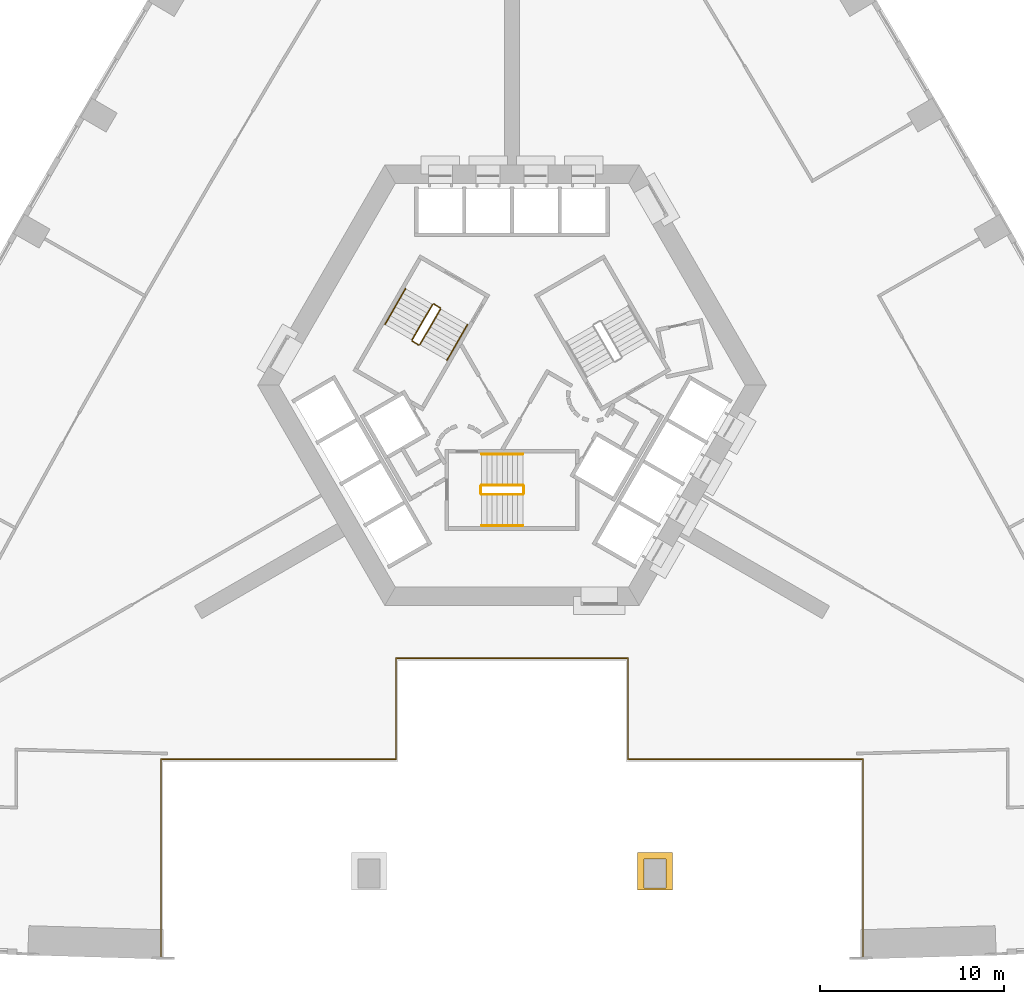
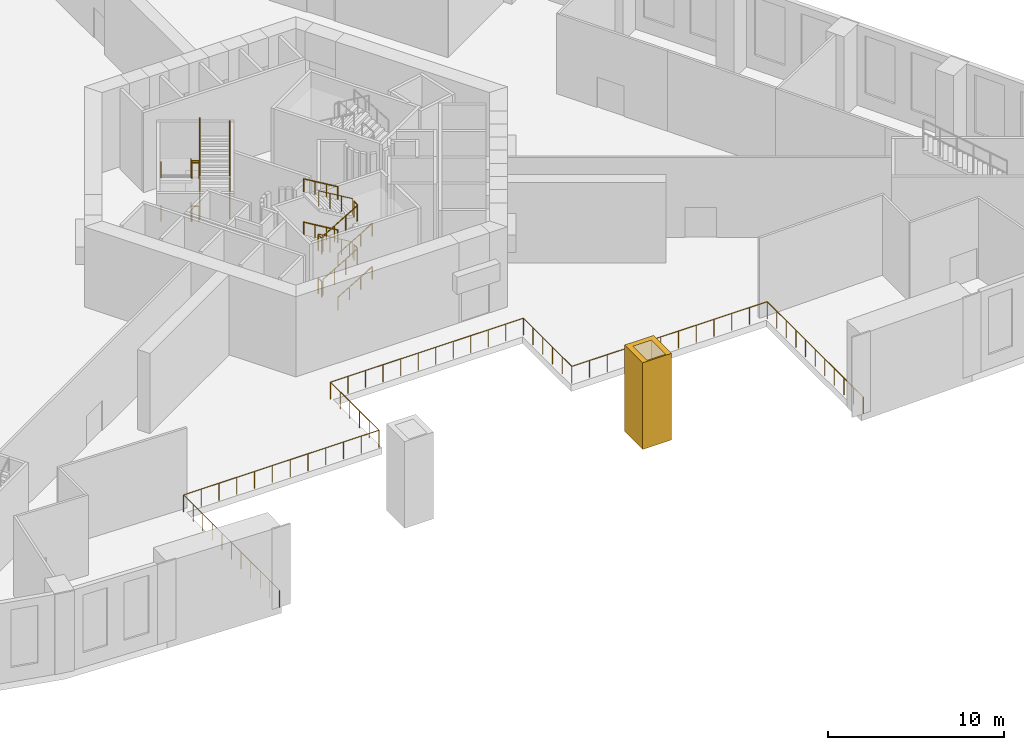
# One storey, part 12 of 15: 24 railings, 1 covering.
"""IFC4 building model written with IfcOpenShell, lengths in metres."""

from ifc_helpers import new_model, si_unit, direction, frame, origin, origin_2d, place, context, subcontext, project, spatial, polyline, circle, outline, extrude, material, type_object, element, save


model = new_model("IFC4")

# Units and contexts
model_context = context("Model", 3, precision=1e-05, world=origin(), true_north=direction((0.0, 1.0)))
body_context = subcontext(model_context, "Body", "Model", "MODEL_VIEW")
ifc_project = project(units=[si_unit("LENGTHUNIT", "METRE"), si_unit("AREAUNIT", "SQUARE_METRE"), si_unit("VOLUMEUNIT", "CUBIC_METRE"), si_unit("PLANEANGLEUNIT", "RADIAN"), si_unit("MASSUNIT", "GRAM", prefix="KILO")], contexts=[model_context])

# Site, building, storey
site_placement = place(None, origin())
site = spatial("IfcSite", under=ifc_project, at=site_placement, CompositionType="ELEMENT")
building_placement = place(site_placement, origin())
building = spatial("IfcBuilding", under=site, at=building_placement, Name="Entoto Arch Interchange Tower", CompositionType="ELEMENT")
storey_placement = place(building_placement, frame((0.0, 0.0, 9.0)))
storey = spatial("IfcBuildingStorey", under=building, at=storey_placement, Name="L01", CompositionType="ELEMENT", Elevation=9.0)

# Railing
ifc_material_1 = material(Name="Stainless steel 1.4301", Category="steel")
railing_type_1 = type_object("IfcRailingType", Name="ATRIUM GUARD 1200 STEEL AND GLASS", PredefinedType="GUARDRAIL", material=ifc_material_1)
railing_1_placement = place(storey_placement, frame((-19.1201171875, -28.758056640625, 0.0)))
element("IfcRailing", 1, at=railing_1_placement, inside=storey, type_object=railing_type_1, Name="Atrium guard L01", PredefinedType="GUARDRAIL", context=body_context, shape_type="SweptSolid", body=[
    extrude(circle(Radius=0.02392578125, at=origin_2d()), frame((0.0, 0.0, 1.17578125), z_axis=(0.0, 1.0, 0.0), x_axis=(-1.0, 0.0, 0.0)), (0.0, 0.0, 1.0), 10.878173828125),
    extrude(circle(Radius=0.02392578125, at=origin_2d()), frame((0.0, 10.878173828125, 1.17578125), z_axis=(1.0, 0.0, 0.0), x_axis=(0.0, 1.0, 0.0)), (0.0, 0.0, 1.0), 12.800048828125),
    extrude(circle(Radius=0.02392578125, at=origin_2d()), frame((12.800048828125, 10.878173828125, 1.17578125), z_axis=(0.0, 1.0, 0.0), x_axis=(-1.0, 0.0, 0.0)), (0.0, 0.0, 1.0), 5.5),
    extrude(circle(Radius=0.02392578125, at=origin_2d()), frame((12.800048828125, 16.378173828125, 1.17578125), z_axis=(1.0, 0.0, 0.0), x_axis=(0.0, 1.0, 0.0)), (0.0, 0.0, 1.0), 12.64013671875),
    extrude(circle(Radius=0.02392578125, at=origin_2d()), frame((25.440185546875, 16.378173828125, 1.17578125), z_axis=(0.0, -1.0, 0.0), x_axis=(1.0, 0.0, 0.0)), (0.0, 0.0, 1.0), 5.5),
    extrude(circle(Radius=0.02392578125, at=origin_2d()), frame((25.440185546875, 10.878173828125, 1.17578125), z_axis=(1.0, 0.0, 0.0), x_axis=(0.0, 1.0, 0.0)), (0.0, 0.0, 1.0), 12.800048828125),
    extrude(circle(Radius=0.02392578125, at=origin_2d()), frame((38.240234375, 10.878173828125, 1.17578125), z_axis=(0.0, -1.0, 0.0), x_axis=(1.0, 0.0, 0.0)), (0.0, 0.0, 1.0), 10.878173828125),
    extrude(circle(Radius=0.02099609375, at=origin_2d()), origin(), (0.0, 0.0, 1.0), 1.15185546875),
    extrude(circle(Radius=0.02099609375, at=origin_2d()), frame((0.0, 1.087890625, 0.0)), (0.0, 0.0, 1.0), 1.15185546875),
    extrude(circle(Radius=0.02099609375, at=origin_2d()), frame((0.0, 2.175537109375, 0.0)), (0.0, 0.0, 1.0), 1.15185546875),
    extrude(circle(Radius=0.02099609375, at=origin_2d()), frame((0.0, 3.263427734375, 0.0)), (0.0, 0.0, 1.0), 1.15185546875),
    extrude(circle(Radius=0.02099609375, at=origin_2d()), frame((0.0, 4.351318359375, 0.0)), (0.0, 0.0, 1.0), 1.15185546875),
    extrude(circle(Radius=0.02099609375, at=origin_2d()), frame((0.0, 5.43896484375, 0.0)), (0.0, 0.0, 1.0), 1.15185546875),
    extrude(circle(Radius=0.02099609375, at=origin_2d()), frame((0.0, 6.52685546875, 0.0)), (0.0, 0.0, 1.0), 1.15185546875),
    extrude(circle(Radius=0.02099609375, at=origin_2d()), frame((0.0, 7.61474609375, 0.0)), (0.0, 0.0, 1.0), 1.15185546875),
    extrude(circle(Radius=0.02099609375, at=origin_2d()), frame((0.0, 8.70263671875, 0.0)), (0.0, 0.0, 1.0), 1.15185546875),
    extrude(circle(Radius=0.02099609375, at=origin_2d()), frame((0.0, 9.790283203125, 0.0)), (0.0, 0.0, 1.0), 1.15185546875),
    extrude(circle(Radius=0.02099609375, at=origin_2d()), frame((0.0, 10.878173828125, 0.0)), (0.0, 0.0, 1.0), 1.15185546875),
    extrude(circle(Radius=0.02099609375, at=origin_2d()), frame((1.16357421875, 10.878173828125, 0.0)), (0.0, 0.0, 1.0), 1.15185546875),
    extrude(circle(Radius=0.02099609375, at=origin_2d()), frame((2.327392578125, 10.878173828125, 0.0)), (0.0, 0.0, 1.0), 1.15185546875),
    extrude(circle(Radius=0.02099609375, at=origin_2d()), frame((3.490966796875, 10.878173828125, 0.0)), (0.0, 0.0, 1.0), 1.15185546875),
    extrude(circle(Radius=0.02099609375, at=origin_2d()), frame((4.654541015625, 10.878173828125, 0.0)), (0.0, 0.0, 1.0), 1.15185546875),
    extrude(circle(Radius=0.02099609375, at=origin_2d()), frame((5.818115234375, 10.878173828125, 0.0)), (0.0, 0.0, 1.0), 1.15185546875),
    extrude(circle(Radius=0.02099609375, at=origin_2d()), frame((6.98193359375, 10.878173828125, 0.0)), (0.0, 0.0, 1.0), 1.15185546875),
    extrude(circle(Radius=0.02099609375, at=origin_2d()), frame((8.1455078125, 10.878173828125, 0.0)), (0.0, 0.0, 1.0), 1.15185546875),
    extrude(circle(Radius=0.02099609375, at=origin_2d()), frame((9.30908203125, 10.878173828125, 0.0)), (0.0, 0.0, 1.0), 1.15185546875),
    extrude(circle(Radius=0.02099609375, at=origin_2d()), frame((10.47265625, 10.878173828125, 0.0)), (0.0, 0.0, 1.0), 1.15185546875),
    extrude(circle(Radius=0.02099609375, at=origin_2d()), frame((11.636474609375, 10.878173828125, 0.0)), (0.0, 0.0, 1.0), 1.15185546875),
    extrude(circle(Radius=0.02099609375, at=origin_2d()), frame((12.800048828125, 10.878173828125, 0.0)), (0.0, 0.0, 1.0), 1.15185546875),
    extrude(circle(Radius=0.02099609375, at=origin_2d()), frame((12.800048828125, 11.978271484375, 0.0)), (0.0, 0.0, 1.0), 1.15185546875),
    extrude(circle(Radius=0.02099609375, at=origin_2d()), frame((12.800048828125, 13.078125, 0.0)), (0.0, 0.0, 1.0), 1.15185546875),
    extrude(circle(Radius=0.02099609375, at=origin_2d()), frame((12.800048828125, 14.17822265625, 0.0)), (0.0, 0.0, 1.0), 1.15185546875),
    extrude(circle(Radius=0.02099609375, at=origin_2d()), frame((12.800048828125, 15.278076171875, 0.0)), (0.0, 0.0, 1.0), 1.15185546875),
    extrude(circle(Radius=0.02099609375, at=origin_2d()), frame((12.800048828125, 16.378173828125, 0.0)), (0.0, 0.0, 1.0), 1.15185546875),
    extrude(circle(Radius=0.02099609375, at=origin_2d()), frame((13.94921875, 16.378173828125, 0.0)), (0.0, 0.0, 1.0), 1.15185546875),
    extrude(circle(Radius=0.02099609375, at=origin_2d()), frame((15.09814453125, 16.378173828125, 0.0)), (0.0, 0.0, 1.0), 1.15185546875),
    extrude(circle(Radius=0.02099609375, at=origin_2d()), frame((16.247314453125, 16.378173828125, 0.0)), (0.0, 0.0, 1.0), 1.15185546875),
    extrude(circle(Radius=0.02099609375, at=origin_2d()), frame((17.396484375, 16.378173828125, 0.0)), (0.0, 0.0, 1.0), 1.15185546875),
    extrude(circle(Radius=0.02099609375, at=origin_2d()), frame((18.545654296875, 16.378173828125, 0.0)), (0.0, 0.0, 1.0), 1.15185546875),
    extrude(circle(Radius=0.02099609375, at=origin_2d()), frame((19.694580078125, 16.378173828125, 0.0)), (0.0, 0.0, 1.0), 1.15185546875),
    extrude(circle(Radius=0.02099609375, at=origin_2d()), frame((20.84375, 16.378173828125, 0.0)), (0.0, 0.0, 1.0), 1.15185546875),
    extrude(circle(Radius=0.02099609375, at=origin_2d()), frame((21.992919921875, 16.378173828125, 0.0)), (0.0, 0.0, 1.0), 1.15185546875),
    extrude(circle(Radius=0.02099609375, at=origin_2d()), frame((23.14208984375, 16.378173828125, 0.0)), (0.0, 0.0, 1.0), 1.15185546875),
    extrude(circle(Radius=0.02099609375, at=origin_2d()), frame((24.291015625, 16.378173828125, 0.0)), (0.0, 0.0, 1.0), 1.15185546875),
    extrude(circle(Radius=0.02099609375, at=origin_2d()), frame((25.440185546875, 16.378173828125, 0.0)), (0.0, 0.0, 1.0), 1.15185546875),
    extrude(circle(Radius=0.02099609375, at=origin_2d()), frame((25.440185546875, 15.278076171875, 0.0)), (0.0, 0.0, 1.0), 1.15185546875),
    extrude(circle(Radius=0.02099609375, at=origin_2d()), frame((25.440185546875, 14.17822265625, 0.0)), (0.0, 0.0, 1.0), 1.15185546875),
    extrude(circle(Radius=0.02099609375, at=origin_2d()), frame((25.440185546875, 13.078125, 0.0)), (0.0, 0.0, 1.0), 1.15185546875),
    extrude(circle(Radius=0.02099609375, at=origin_2d()), frame((25.440185546875, 11.978271484375, 0.0)), (0.0, 0.0, 1.0), 1.15185546875),
    extrude(circle(Radius=0.02099609375, at=origin_2d()), frame((25.440185546875, 10.878173828125, 0.0)), (0.0, 0.0, 1.0), 1.15185546875),
    extrude(circle(Radius=0.02099609375, at=origin_2d()), frame((26.603759765625, 10.878173828125, 0.0)), (0.0, 0.0, 1.0), 1.15185546875),
    extrude(circle(Radius=0.02099609375, at=origin_2d()), frame((27.767578125, 10.878173828125, 0.0)), (0.0, 0.0, 1.0), 1.15185546875),
    extrude(circle(Radius=0.02099609375, at=origin_2d()), frame((28.93115234375, 10.878173828125, 0.0)), (0.0, 0.0, 1.0), 1.15185546875),
    extrude(circle(Radius=0.02099609375, at=origin_2d()), frame((30.0947265625, 10.878173828125, 0.0)), (0.0, 0.0, 1.0), 1.15185546875),
    extrude(circle(Radius=0.02099609375, at=origin_2d()), frame((31.25830078125, 10.878173828125, 0.0)), (0.0, 0.0, 1.0), 1.15185546875),
    extrude(circle(Radius=0.02099609375, at=origin_2d()), frame((32.422119140625, 10.878173828125, 0.0)), (0.0, 0.0, 1.0), 1.15185546875),
    extrude(circle(Radius=0.02099609375, at=origin_2d()), frame((33.585693359375, 10.878173828125, 0.0)), (0.0, 0.0, 1.0), 1.15185546875),
    extrude(circle(Radius=0.02099609375, at=origin_2d()), frame((34.749267578125, 10.878173828125, 0.0)), (0.0, 0.0, 1.0), 1.15185546875),
    extrude(circle(Radius=0.02099609375, at=origin_2d()), frame((35.912841796875, 10.878173828125, 0.0)), (0.0, 0.0, 1.0), 1.15185546875),
    extrude(circle(Radius=0.02099609375, at=origin_2d()), frame((37.07666015625, 10.878173828125, 0.0)), (0.0, 0.0, 1.0), 1.15185546875),
    extrude(circle(Radius=0.02099609375, at=origin_2d()), frame((38.240234375, 10.878173828125, 0.0)), (0.0, 0.0, 1.0), 1.15185546875),
    extrude(circle(Radius=0.02099609375, at=origin_2d()), frame((38.240234375, 9.790283203125, 0.0)), (0.0, 0.0, 1.0), 1.15185546875),
    extrude(circle(Radius=0.02099609375, at=origin_2d()), frame((38.240234375, 8.70263671875, 0.0)), (0.0, 0.0, 1.0), 1.15185546875),
    extrude(circle(Radius=0.02099609375, at=origin_2d()), frame((38.240234375, 7.61474609375, 0.0)), (0.0, 0.0, 1.0), 1.15185546875),
    extrude(circle(Radius=0.02099609375, at=origin_2d()), frame((38.240234375, 6.52685546875, 0.0)), (0.0, 0.0, 1.0), 1.15185546875),
    extrude(circle(Radius=0.02099609375, at=origin_2d()), frame((38.240234375, 5.43896484375, 0.0)), (0.0, 0.0, 1.0), 1.15185546875),
    extrude(circle(Radius=0.02099609375, at=origin_2d()), frame((38.240234375, 4.351318359375, 0.0)), (0.0, 0.0, 1.0), 1.15185546875),
    extrude(circle(Radius=0.02099609375, at=origin_2d()), frame((38.240234375, 3.263427734375, 0.0)), (0.0, 0.0, 1.0), 1.15185546875),
    extrude(circle(Radius=0.02099609375, at=origin_2d()), frame((38.240234375, 2.175537109375, 0.0)), (0.0, 0.0, 1.0), 1.15185546875),
    extrude(circle(Radius=0.02099609375, at=origin_2d()), frame((38.240234375, 1.087890625, 0.0)), (0.0, 0.0, 1.0), 1.15185546875),
    extrude(circle(Radius=0.02099609375, at=origin_2d()), frame((38.240234375, 0.0, 0.0)), (0.0, 0.0, 1.0), 1.15185546875),
])

# Covering
ifc_material_2 = material(Name="Board-marked precast concrete C50/60", Category="concrete")
covering_type = type_object("IfcCoveringType", Name="PRECAST FRAME COURSE", PredefinedType="CLADDING", material=ifc_material_2)
covering_placement = place(storey_placement, frame((0.0, 0.0, -0.449951171875)))
element("IfcCovering", 2, at=covering_placement, inside=storey, type_object=covering_type, Name="Gate pier L01", PredefinedType="CLADDING", context=body_context, shape_type="SweptSolid", body=[
    extrude(outline(polyline([(6.85009765625, -22.949951171875), (8.75, -22.949951171875), (8.75, -24.9990234375), (6.85009765625, -24.9990234375), (6.85009765625, -22.949951171875)]), holes=[polyline([(7.199951171875, -23.300048828125), (7.199951171875, -24.89990234375), (8.39990234375, -24.89990234375), (8.39990234375, -23.300048828125), (7.199951171875, -23.300048828125)])]), origin(), (0.0, 0.0, 1.0), 6.0),
])

# Railings
railing_type_2 = type_object("IfcRailingType", Name="STAIR GUARD 1100 STEEL", PredefinedType="GUARDRAIL", material=ifc_material_1)
railing_2_placement = place(storey_placement, frame((-1.64990234375, -3.449951171875, 0.166748046875)))
element("IfcRailing", 3, at=railing_2_placement, inside=storey, type_object=railing_type_2, Name="L01 ST-S stair guard 1", PredefinedType="GUARDRAIL", context=body_context, shape_type="SweptSolid", body=[
    extrude(circle(Radius=0.02392578125, at=origin_2d()), frame((0.0, 0.0, 1.076171875), z_axis=(0.859305625298, 0.0, 0.511462454469), x_axis=(0.0, 1.0, 0.0)), (0.0, 0.0, 1.0), 2.606689453125),
    extrude(circle(Radius=0.02099609375, at=origin_2d()), origin(), (0.0, 0.0, 1.0), 1.052001953125),
    extrude(circle(Radius=0.02099609375, at=origin_2d()), frame((0.74658203125, 0.0, 0.4443359375)), (0.0, 0.0, 1.0), 1.052001953125),
    extrude(circle(Radius=0.02099609375, at=origin_2d()), frame((1.493408203125, 0.0, 0.888916015625)), (0.0, 0.0, 1.0), 1.052001953125),
    extrude(circle(Radius=0.02099609375, at=origin_2d()), frame((2.239990234375, 0.0, 1.333251953125)), (0.0, 0.0, 1.0), 1.052001953125),
])
railing_3_placement = place(storey_placement, frame((0.639892578125, -3.39990234375, 1.5)))
element("IfcRailing", 4, at=railing_3_placement, inside=storey, type_object=railing_type_2, Name="L01 ST-S stair guard 2", PredefinedType="GUARDRAIL", context=body_context, shape_type="SweptSolid", body=[
    extrude(circle(Radius=0.02392578125, at=origin_2d()), frame((0.0, 0.0, 1.076171875), z_axis=(0.0, 1.0, 0.0), x_axis=(-1.0, 0.0, 0.0)), (0.0, 0.0, 1.0), 0.39990234375),
    extrude(circle(Radius=0.02099609375, at=origin_2d()), origin(), (0.0, 0.0, 1.0), 1.052001953125),
    extrude(circle(Radius=0.02099609375, at=origin_2d()), frame((0.0, 0.39990234375, 0.0)), (0.0, 0.0, 1.0), 1.052001953125),
])
railing_4_placement = place(storey_placement, frame((0.590087890625, -2.949951171875, 1.666748046875)))
element("IfcRailing", 5, at=railing_4_placement, inside=storey, type_object=railing_type_2, Name="L01 ST-S stair guard 3", PredefinedType="GUARDRAIL", context=body_context, shape_type="SweptSolid", body=[
    extrude(circle(Radius=0.02392578125, at=origin_2d()), frame((0.0, 0.0, 1.076171875), z_axis=(-0.859305625298, 0.0, 0.511462454469), x_axis=(0.0, -1.0, 0.0)), (0.0, 0.0, 1.0), 2.606689453125),
    extrude(circle(Radius=0.02099609375, at=origin_2d()), origin(), (0.0, 0.0, 1.0), 1.052001953125),
    extrude(circle(Radius=0.02099609375, at=origin_2d()), frame((-0.74658203125, 0.0, 0.4443359375)), (0.0, 0.0, 1.0), 1.052001953125),
    extrude(circle(Radius=0.02099609375, at=origin_2d()), frame((-1.493408203125, 0.0, 0.888916015625)), (0.0, 0.0, 1.0), 1.052001953125),
    extrude(circle(Radius=0.02099609375, at=origin_2d()), frame((-2.239990234375, 0.0, 1.333251953125)), (0.0, 0.0, 1.0), 1.052001953125),
])
railing_5_placement = place(storey_placement, frame((-1.699951171875, -3.39990234375, 3.0)))
element("IfcRailing", 6, at=railing_5_placement, inside=storey, type_object=railing_type_2, Name="L01 ST-S stair guard 4", PredefinedType="GUARDRAIL", context=body_context, shape_type="SweptSolid", body=[
    extrude(circle(Radius=0.02392578125, at=origin_2d()), frame((0.0, 0.0, 1.076171875), z_axis=(0.0, 1.0, 0.0), x_axis=(-1.0, 0.0, 0.0)), (0.0, 0.0, 1.0), 0.39990234375),
    extrude(circle(Radius=0.02099609375, at=origin_2d()), origin(), (0.0, 0.0, 1.0), 1.052001953125),
    extrude(circle(Radius=0.02099609375, at=origin_2d()), frame((0.0, 0.39990234375, 0.0)), (0.0, 0.0, 1.0), 1.052001953125),
])
railing_6_placement = place(storey_placement, frame((-1.64990234375, -3.449951171875, 3.166748046875)))
element("IfcRailing", 7, at=railing_6_placement, inside=storey, type_object=railing_type_2, Name="L01 ST-S stair guard 5", PredefinedType="GUARDRAIL", context=body_context, shape_type="SweptSolid", body=[
    extrude(circle(Radius=0.02392578125, at=origin_2d()), frame((0.0, 0.0, 1.076171875), z_axis=(0.859305625298, 0.0, 0.511462454469), x_axis=(0.0, 1.0, 0.0)), (0.0, 0.0, 1.0), 2.606689453125),
    extrude(circle(Radius=0.02099609375, at=origin_2d()), origin(), (0.0, 0.0, 1.0), 1.052001953125),
    extrude(circle(Radius=0.02099609375, at=origin_2d()), frame((0.74658203125, 0.0, 0.4443359375)), (0.0, 0.0, 1.0), 1.052001953125),
    extrude(circle(Radius=0.02099609375, at=origin_2d()), frame((1.493408203125, 0.0, 0.888916015625)), (0.0, 0.0, 1.0), 1.052001953125),
    extrude(circle(Radius=0.02099609375, at=origin_2d()), frame((2.239990234375, 0.0, 1.333251953125)), (0.0, 0.0, 1.0), 1.052001953125),
])
railing_7_placement = place(storey_placement, frame((0.639892578125, -3.39990234375, 4.5)))
element("IfcRailing", 8, at=railing_7_placement, inside=storey, type_object=railing_type_2, Name="L01 ST-S stair guard 6", PredefinedType="GUARDRAIL", context=body_context, shape_type="SweptSolid", body=[
    extrude(circle(Radius=0.02392578125, at=origin_2d()), frame((0.0, 0.0, 1.076171875), z_axis=(0.0, 1.0, 0.0), x_axis=(-1.0, 0.0, 0.0)), (0.0, 0.0, 1.0), 0.39990234375),
    extrude(circle(Radius=0.02099609375, at=origin_2d()), origin(), (0.0, 0.0, 1.0), 1.052001953125),
    extrude(circle(Radius=0.02099609375, at=origin_2d()), frame((0.0, 0.39990234375, 0.0)), (0.0, 0.0, 1.0), 1.052001953125),
])
railing_8_placement = place(storey_placement, frame((0.590087890625, -2.949951171875, 4.666748046875)))
element("IfcRailing", 9, at=railing_8_placement, inside=storey, type_object=railing_type_2, Name="L01 ST-S stair guard 7", PredefinedType="GUARDRAIL", context=body_context, shape_type="SweptSolid", body=[
    extrude(circle(Radius=0.02392578125, at=origin_2d()), frame((0.0, 0.0, 1.076171875), z_axis=(-0.859305625298, 0.0, 0.511462454469), x_axis=(0.0, -1.0, 0.0)), (0.0, 0.0, 1.0), 2.606689453125),
    extrude(circle(Radius=0.02099609375, at=origin_2d()), origin(), (0.0, 0.0, 1.0), 1.052001953125),
    extrude(circle(Radius=0.02099609375, at=origin_2d()), frame((-0.74658203125, 0.0, 0.4443359375)), (0.0, 0.0, 1.0), 1.052001953125),
    extrude(circle(Radius=0.02099609375, at=origin_2d()), frame((-1.493408203125, 0.0, 0.888916015625)), (0.0, 0.0, 1.0), 1.052001953125),
    extrude(circle(Radius=0.02099609375, at=origin_2d()), frame((-2.239990234375, 0.0, 1.333251953125)), (0.0, 0.0, 1.0), 1.052001953125),
])
railing_9_placement = place(storey_placement, frame((-1.699951171875, -3.39990234375, 0.0)))
element("IfcRailing", 10, at=railing_9_placement, inside=storey, type_object=railing_type_2, Name="L01 ST-S stair guard 8", PredefinedType="GUARDRAIL", context=body_context, shape_type="SweptSolid", body=[
    extrude(circle(Radius=0.02392578125, at=origin_2d()), frame((0.0, 0.0, 1.076171875), z_axis=(0.0, 1.0, 0.0), x_axis=(-1.0, 0.0, 0.0)), (0.0, 0.0, 1.0), 0.39990234375),
    extrude(circle(Radius=0.02099609375, at=origin_2d()), origin(), (0.0, 0.0, 1.0), 1.052001953125),
    extrude(circle(Radius=0.02099609375, at=origin_2d()), frame((0.0, 0.39990234375, 0.0)), (0.0, 0.0, 1.0), 1.052001953125),
])
railing_10_placement = place(storey_placement, frame((-4.327880859375, 6.904052734375, 0.166748046875)))
element("IfcRailing", 11, at=railing_10_placement, inside=storey, type_object=railing_type_2, Name="L01 ST-NW stair guard 1", PredefinedType="GUARDRAIL", context=body_context, shape_type="SweptSolid", body=[
    extrude(circle(Radius=0.02392578125, at=origin_2d()), frame((0.0, 0.0, 1.076171875), z_axis=(-0.429608131991, -0.744204538217, 0.51146501173), x_axis=(0.866054910533, -0.49994888933, 0.0)), (0.0, 0.0, 1.0), 2.606689453125),
    extrude(circle(Radius=0.02099609375, at=origin_2d()), origin(), (0.0, 0.0, 1.0), 1.052001953125),
    extrude(circle(Radius=0.02099609375, at=origin_2d()), frame((-0.373291015625, -0.646728515625, 0.4443359375)), (0.0, 0.0, 1.0), 1.052001953125),
    extrude(circle(Radius=0.02099609375, at=origin_2d()), frame((-0.74658203125, -1.293212890625, 0.888916015625)), (0.0, 0.0, 1.0), 1.052001953125),
    extrude(circle(Radius=0.02099609375, at=origin_2d()), frame((-1.119873046875, -1.93994140625, 1.333251953125)), (0.0, 0.0, 1.0), 1.052001953125),
])
railing_11_placement = place(storey_placement, frame((-5.429443359375, 4.895751953125, 1.5)))
element("IfcRailing", 12, at=railing_11_placement, inside=storey, type_object=railing_type_2, Name="L01 ST-NW stair guard 2", PredefinedType="GUARDRAIL", context=body_context, shape_type="SweptSolid", body=[
    extrude(circle(Radius=0.02392578125, at=origin_2d()), frame((0.0, 0.0, 1.076171875), z_axis=(0.865941482684, -0.500145327446, 0.0), x_axis=(0.500145327446, 0.865941482684, 0.0)), (0.0, 0.0, 1.0), 0.39990234375),
    extrude(circle(Radius=0.02099609375, at=origin_2d()), origin(), (0.0, 0.0, 1.0), 1.052001953125),
    extrude(circle(Radius=0.02099609375, at=origin_2d()), frame((0.34619140625, -0.199951171875, 0.0)), (0.0, 0.0, 1.0), 1.052001953125),
])
railing_12_placement = place(storey_placement, frame((-5.014892578125, 4.714111328125, 1.666748046875)))
element("IfcRailing", 13, at=railing_12_placement, inside=storey, type_object=railing_type_2, Name="L01 ST-NW stair guard 3", PredefinedType="GUARDRAIL", context=body_context, shape_type="SweptSolid", body=[
    extrude(circle(Radius=0.02392578125, at=origin_2d()), frame((0.0, 0.0, 1.076171875), z_axis=(0.429684499369, 0.744174592847, 0.511444431354), x_axis=(-0.866007717299, 0.500030632641, 0.0)), (0.0, 0.0, 1.0), 2.60693359375),
    extrude(circle(Radius=0.02099609375, at=origin_2d()), origin(), (0.0, 0.0, 1.0), 1.052001953125),
    extrude(circle(Radius=0.02099609375, at=origin_2d()), frame((0.373291015625, 0.646728515625, 0.4443359375)), (0.0, 0.0, 1.0), 1.052001953125),
    extrude(circle(Radius=0.02099609375, at=origin_2d()), frame((0.746826171875, 1.293212890625, 0.888916015625)), (0.0, 0.0, 1.0), 1.052001953125),
    extrude(circle(Radius=0.02099609375, at=origin_2d()), frame((1.1201171875, 1.93994140625, 1.333251953125)), (0.0, 0.0, 1.0), 1.052001953125),
])
railing_13_placement = place(storey_placement, frame((-4.259521484375, 6.92236328125, 3.0)))
element("IfcRailing", 14, at=railing_13_placement, inside=storey, type_object=railing_type_2, Name="L01 ST-NW stair guard 4", PredefinedType="GUARDRAIL", context=body_context, shape_type="SweptSolid", body=[
    extrude(circle(Radius=0.02392578125, at=origin_2d()), frame((0.0, 0.0, 1.076171875), z_axis=(0.865829829939, -0.500338590944, 0.0), x_axis=(0.500338590944, 0.865829829939, 0.0)), (0.0, 0.0, 1.0), 0.400146484375),
    extrude(circle(Radius=0.02099609375, at=origin_2d()), origin(), (0.0, 0.0, 1.0), 1.052001953125),
    extrude(circle(Radius=0.02099609375, at=origin_2d()), frame((0.346435546875, -0.2001953125, 0.0)), (0.0, 0.0, 1.0), 1.052001953125),
])
railing_14_placement = place(storey_placement, frame((-4.327880859375, 6.904052734375, 3.166748046875)))
element("IfcRailing", 15, at=railing_14_placement, inside=storey, type_object=railing_type_2, Name="L01 ST-NW stair guard 5", PredefinedType="GUARDRAIL", context=body_context, shape_type="SweptSolid", body=[
    extrude(circle(Radius=0.02392578125, at=origin_2d()), frame((0.0, 0.0, 1.076171875), z_axis=(-0.429608131991, -0.744204538217, 0.51146501173), x_axis=(0.866054910533, -0.49994888933, 0.0)), (0.0, 0.0, 1.0), 2.606689453125),
    extrude(circle(Radius=0.02099609375, at=origin_2d()), origin(), (0.0, 0.0, 1.0), 1.052001953125),
    extrude(circle(Radius=0.02099609375, at=origin_2d()), frame((-0.373291015625, -0.646728515625, 0.4443359375)), (0.0, 0.0, 1.0), 1.052001953125),
    extrude(circle(Radius=0.02099609375, at=origin_2d()), frame((-0.74658203125, -1.293212890625, 0.888916015625)), (0.0, 0.0, 1.0), 1.052001953125),
    extrude(circle(Radius=0.02099609375, at=origin_2d()), frame((-1.119873046875, -1.93994140625, 1.333251953125)), (0.0, 0.0, 1.0), 1.052001953125),
])
railing_15_placement = place(storey_placement, frame((-5.429443359375, 4.895751953125, 4.5)))
element("IfcRailing", 16, at=railing_15_placement, inside=storey, type_object=railing_type_2, Name="L01 ST-NW stair guard 6", PredefinedType="GUARDRAIL", context=body_context, shape_type="SweptSolid", body=[
    extrude(circle(Radius=0.02392578125, at=origin_2d()), frame((0.0, 0.0, 1.076171875), z_axis=(0.865941482684, -0.500145327446, 0.0), x_axis=(0.500145327446, 0.865941482684, 0.0)), (0.0, 0.0, 1.0), 0.39990234375),
    extrude(circle(Radius=0.02099609375, at=origin_2d()), origin(), (0.0, 0.0, 1.0), 1.052001953125),
    extrude(circle(Radius=0.02099609375, at=origin_2d()), frame((0.34619140625, -0.199951171875, 0.0)), (0.0, 0.0, 1.0), 1.052001953125),
])
railing_16_placement = place(storey_placement, frame((-5.014892578125, 4.714111328125, 4.666748046875)))
element("IfcRailing", 17, at=railing_16_placement, inside=storey, type_object=railing_type_2, Name="L01 ST-NW stair guard 7", PredefinedType="GUARDRAIL", context=body_context, shape_type="SweptSolid", body=[
    extrude(circle(Radius=0.02392578125, at=origin_2d()), frame((0.0, 0.0, 1.076171875), z_axis=(0.429684499369, 0.744174592847, 0.511444431354), x_axis=(-0.866007717299, 0.500030632641, 0.0)), (0.0, 0.0, 1.0), 2.60693359375),
    extrude(circle(Radius=0.02099609375, at=origin_2d()), origin(), (0.0, 0.0, 1.0), 1.052001953125),
    extrude(circle(Radius=0.02099609375, at=origin_2d()), frame((0.373291015625, 0.646728515625, 0.4443359375)), (0.0, 0.0, 1.0), 1.052001953125),
    extrude(circle(Radius=0.02099609375, at=origin_2d()), frame((0.746826171875, 1.293212890625, 0.888916015625)), (0.0, 0.0, 1.0), 1.052001953125),
    extrude(circle(Radius=0.02099609375, at=origin_2d()), frame((1.1201171875, 1.93994140625, 1.333251953125)), (0.0, 0.0, 1.0), 1.052001953125),
])
railing_type_3 = type_object("IfcRailingType", Name="STAIR HANDRAIL 900 STEEL", PredefinedType="HANDRAIL", material=ifc_material_1)
railing_17_placement = place(storey_placement, frame((-1.64990234375, -5.14990234375, 0.166748046875)))
element("IfcRailing", 18, at=railing_17_placement, inside=storey, type_object=railing_type_3, Name="L01 ST-S stair handrail 1", PredefinedType="HANDRAIL", context=body_context, shape_type="SweptSolid", body=[
    extrude(circle(Radius=0.02392578125, at=origin_2d()), frame((0.0, 0.0, 0.8759765625), z_axis=(0.859305625298, 0.0, 0.511462454469), x_axis=(0.0, 1.0, 0.0)), (0.0, 0.0, 1.0), 2.606689453125),
    extrude(circle(Radius=0.02099609375, at=origin_2d()), origin(), (0.0, 0.0, 1.0), 0.851806640625),
    extrude(circle(Radius=0.02099609375, at=origin_2d()), frame((0.74658203125, 0.0, 0.4443359375)), (0.0, 0.0, 1.0), 0.851806640625),
    extrude(circle(Radius=0.02099609375, at=origin_2d()), frame((1.493408203125, 0.0, 0.888916015625)), (0.0, 0.0, 1.0), 0.851806640625),
    extrude(circle(Radius=0.02099609375, at=origin_2d()), frame((2.239990234375, 0.0, 1.333251953125)), (0.0, 0.0, 1.0), 0.851806640625),
])
railing_18_placement = place(storey_placement, frame((0.590087890625, -1.25, 1.666748046875)))
element("IfcRailing", 19, at=railing_18_placement, inside=storey, type_object=railing_type_3, Name="L01 ST-S stair handrail 2", PredefinedType="HANDRAIL", context=body_context, shape_type="SweptSolid", body=[
    extrude(circle(Radius=0.02392578125, at=origin_2d()), frame((0.0, 0.0, 0.8759765625), z_axis=(-0.859305625298, 0.0, 0.511462454469), x_axis=(0.0, -1.0, 0.0)), (0.0, 0.0, 1.0), 2.606689453125),
    extrude(circle(Radius=0.02099609375, at=origin_2d()), origin(), (0.0, 0.0, 1.0), 0.851806640625),
    extrude(circle(Radius=0.02099609375, at=origin_2d()), frame((-0.74658203125, 0.0, 0.4443359375)), (0.0, 0.0, 1.0), 0.851806640625),
    extrude(circle(Radius=0.02099609375, at=origin_2d()), frame((-1.493408203125, 0.0, 0.888916015625)), (0.0, 0.0, 1.0), 0.851806640625),
    extrude(circle(Radius=0.02099609375, at=origin_2d()), frame((-2.239990234375, 0.0, 1.333251953125)), (0.0, 0.0, 1.0), 0.851806640625),
])
railing_19_placement = place(storey_placement, frame((-1.64990234375, -5.14990234375, 3.166748046875)))
element("IfcRailing", 20, at=railing_19_placement, inside=storey, type_object=railing_type_3, Name="L01 ST-S stair handrail 3", PredefinedType="HANDRAIL", context=body_context, shape_type="SweptSolid", body=[
    extrude(circle(Radius=0.02392578125, at=origin_2d()), frame((0.0, 0.0, 0.8759765625), z_axis=(0.859305625298, 0.0, 0.511462454469), x_axis=(0.0, 1.0, 0.0)), (0.0, 0.0, 1.0), 2.606689453125),
    extrude(circle(Radius=0.02099609375, at=origin_2d()), origin(), (0.0, 0.0, 1.0), 0.851806640625),
    extrude(circle(Radius=0.02099609375, at=origin_2d()), frame((0.74658203125, 0.0, 0.4443359375)), (0.0, 0.0, 1.0), 0.851806640625),
    extrude(circle(Radius=0.02099609375, at=origin_2d()), frame((1.493408203125, 0.0, 0.888916015625)), (0.0, 0.0, 1.0), 0.851806640625),
    extrude(circle(Radius=0.02099609375, at=origin_2d()), frame((2.239990234375, 0.0, 1.333251953125)), (0.0, 0.0, 1.0), 0.851806640625),
])
railing_20_placement = place(storey_placement, frame((0.590087890625, -1.25, 4.666748046875)))
element("IfcRailing", 21, at=railing_20_placement, inside=storey, type_object=railing_type_3, Name="L01 ST-S stair handrail 4", PredefinedType="HANDRAIL", context=body_context, shape_type="SweptSolid", body=[
    extrude(circle(Radius=0.02392578125, at=origin_2d()), frame((0.0, 0.0, 0.8759765625), z_axis=(-0.859305625298, 0.0, 0.511462454469), x_axis=(0.0, -1.0, 0.0)), (0.0, 0.0, 1.0), 2.606689453125),
    extrude(circle(Radius=0.02099609375, at=origin_2d()), origin(), (0.0, 0.0, 1.0), 0.851806640625),
    extrude(circle(Radius=0.02099609375, at=origin_2d()), frame((-0.74658203125, 0.0, 0.4443359375)), (0.0, 0.0, 1.0), 0.851806640625),
    extrude(circle(Radius=0.02099609375, at=origin_2d()), frame((-1.493408203125, 0.0, 0.888916015625)), (0.0, 0.0, 1.0), 0.851806640625),
    extrude(circle(Radius=0.02099609375, at=origin_2d()), frame((-2.239990234375, 0.0, 1.333251953125)), (0.0, 0.0, 1.0), 0.851806640625),
])
railing_21_placement = place(storey_placement, frame((-5.800048828125, 7.75390625, 0.166748046875)))
element("IfcRailing", 22, at=railing_21_placement, inside=storey, type_object=railing_type_3, Name="L01 ST-NW stair handrail 1", PredefinedType="HANDRAIL", context=body_context, shape_type="SweptSolid", body=[
    extrude(circle(Radius=0.02392578125, at=origin_2d()), frame((0.0, 0.0, 0.8759765625), z_axis=(-0.429684499369, -0.744174592847, 0.511444431354), x_axis=(0.866007717299, -0.500030632641, 0.0)), (0.0, 0.0, 1.0), 2.60693359375),
    extrude(circle(Radius=0.02099609375, at=origin_2d()), origin(), (0.0, 0.0, 1.0), 0.851806640625),
    extrude(circle(Radius=0.02099609375, at=origin_2d()), frame((-0.373291015625, -0.646728515625, 0.4443359375)), (0.0, 0.0, 1.0), 0.851806640625),
    extrude(circle(Radius=0.02099609375, at=origin_2d()), frame((-0.746826171875, -1.293212890625, 0.888916015625)), (0.0, 0.0, 1.0), 0.851806640625),
    extrude(circle(Radius=0.02099609375, at=origin_2d()), frame((-1.1201171875, -1.93994140625, 1.333251953125)), (0.0, 0.0, 1.0), 0.851806640625),
])
railing_22_placement = place(storey_placement, frame((-3.54248046875, 3.864013671875, 1.666748046875)))
element("IfcRailing", 23, at=railing_22_placement, inside=storey, type_object=railing_type_3, Name="L01 ST-NW stair handrail 2", PredefinedType="HANDRAIL", context=body_context, shape_type="SweptSolid", body=[
    extrude(circle(Radius=0.02392578125, at=origin_2d()), frame((0.0, 0.0, 0.8759765625), z_axis=(0.429608131991, 0.744204538217, 0.51146501173), x_axis=(-0.866054910533, 0.49994888933, 0.0)), (0.0, 0.0, 1.0), 2.606689453125),
    extrude(circle(Radius=0.02099609375, at=origin_2d()), origin(), (0.0, 0.0, 1.0), 0.851806640625),
    extrude(circle(Radius=0.02099609375, at=origin_2d()), frame((0.373291015625, 0.646728515625, 0.4443359375)), (0.0, 0.0, 1.0), 0.851806640625),
    extrude(circle(Radius=0.02099609375, at=origin_2d()), frame((0.74658203125, 1.293212890625, 0.888916015625)), (0.0, 0.0, 1.0), 0.851806640625),
    extrude(circle(Radius=0.02099609375, at=origin_2d()), frame((1.119873046875, 1.93994140625, 1.333251953125)), (0.0, 0.0, 1.0), 0.851806640625),
])
railing_23_placement = place(storey_placement, frame((-5.800048828125, 7.75390625, 3.166748046875)))
element("IfcRailing", 24, at=railing_23_placement, inside=storey, type_object=railing_type_3, Name="L01 ST-NW stair handrail 3", PredefinedType="HANDRAIL", context=body_context, shape_type="SweptSolid", body=[
    extrude(circle(Radius=0.02392578125, at=origin_2d()), frame((0.0, 0.0, 0.8759765625), z_axis=(-0.429684499369, -0.744174592847, 0.511444431354), x_axis=(0.866007717299, -0.500030632641, 0.0)), (0.0, 0.0, 1.0), 2.60693359375),
    extrude(circle(Radius=0.02099609375, at=origin_2d()), origin(), (0.0, 0.0, 1.0), 0.851806640625),
    extrude(circle(Radius=0.02099609375, at=origin_2d()), frame((-0.373291015625, -0.646728515625, 0.4443359375)), (0.0, 0.0, 1.0), 0.851806640625),
    extrude(circle(Radius=0.02099609375, at=origin_2d()), frame((-0.746826171875, -1.293212890625, 0.888916015625)), (0.0, 0.0, 1.0), 0.851806640625),
    extrude(circle(Radius=0.02099609375, at=origin_2d()), frame((-1.1201171875, -1.93994140625, 1.333251953125)), (0.0, 0.0, 1.0), 0.851806640625),
])
railing_24_placement = place(storey_placement, frame((-3.54248046875, 3.864013671875, 4.666748046875)))
element("IfcRailing", 25, at=railing_24_placement, inside=storey, type_object=railing_type_3, Name="L01 ST-NW stair handrail 4", PredefinedType="HANDRAIL", context=body_context, shape_type="SweptSolid", body=[
    extrude(circle(Radius=0.02392578125, at=origin_2d()), frame((0.0, 0.0, 0.8759765625), z_axis=(0.429608131991, 0.744204538217, 0.51146501173), x_axis=(-0.866054910533, 0.49994888933, 0.0)), (0.0, 0.0, 1.0), 2.606689453125),
    extrude(circle(Radius=0.02099609375, at=origin_2d()), origin(), (0.0, 0.0, 1.0), 0.851806640625),
    extrude(circle(Radius=0.02099609375, at=origin_2d()), frame((0.373291015625, 0.646728515625, 0.4443359375)), (0.0, 0.0, 1.0), 0.851806640625),
    extrude(circle(Radius=0.02099609375, at=origin_2d()), frame((0.74658203125, 1.293212890625, 0.888916015625)), (0.0, 0.0, 1.0), 0.851806640625),
    extrude(circle(Radius=0.02099609375, at=origin_2d()), frame((1.119873046875, 1.93994140625, 1.333251953125)), (0.0, 0.0, 1.0), 0.851806640625),
])

save(model, "model.ifc")
